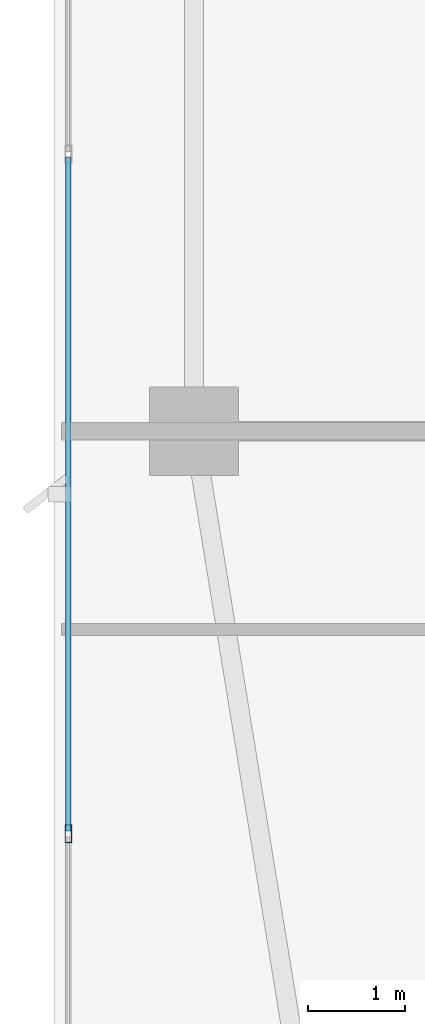
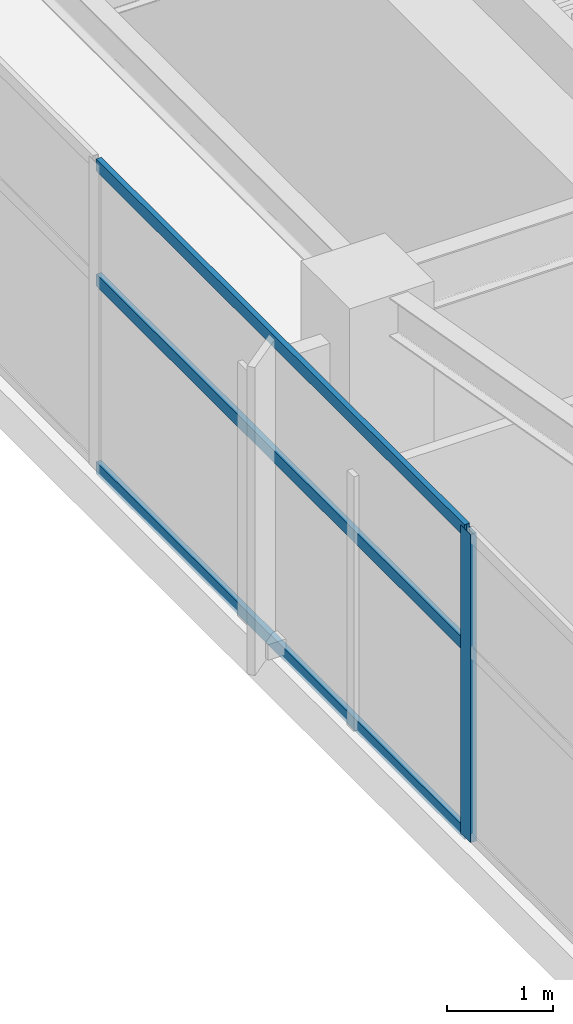
# One storey, part 4 of 28: 4 members, 1 element without a shape of its own.
"""IFC4 building model written with IfcOpenShell, lengths in metres."""

import ifcopenshell
import ifcopenshell.guid

model = None  # the IFC model being written
_history = None  # IfcOwnerHistory: only IFC2X3 demands one
_inside = {}  # id of a spatial element -> (the spatial element, [elements in it])
_under = {}  # id of a project, library or spatial element -> (it, [spatial elements below it])
_declared = {}  # id of a project -> (the project, [libraries it declares])
_typed = {}  # id of a type object -> (the type object, [elements of that type])
_made_of = {}  # id of a material, layer set ... -> (it, [elements and type objects made of it])


def new_model(schema):
    """Start an empty IFC model of exactly this schema.

    Asked for "IFC4X3", IfcOpenShell would pick the latest addendum, in which some entities
    have other attributes; the version numbers below select the first issue.
    IFC2X3 requires an IfcOwnerHistory on every rooted entity: one is made here for all.
    """
    global model, _history
    if schema == "IFC4X3":
        model = ifcopenshell.file(schema_version=(4, 3, 0, 0))
    else:
        model = ifcopenshell.file(schema=schema)
    _inside.clear()
    _under.clear()
    _declared.clear()
    _typed.clear()
    _made_of.clear()
    _history = None
    if model.schema == "IFC2X3":
        org = make("IfcOrganization", Name="unknown")
        user = make(
            "IfcPersonAndOrganization",
            ThePerson=make("IfcPerson", FamilyName="unknown"),
            TheOrganization=org,
        )
        app = make(
            "IfcApplication",
            ApplicationDeveloper=org,
            Version="unknown",
            ApplicationFullName="unknown",
            ApplicationIdentifier="unknown",
        )
        _history = make(
            "IfcOwnerHistory",
            OwningUser=user,
            OwningApplication=app,
            ChangeAction="ADDED",
            CreationDate=0,
        )
    return model


def make(cls, **values):
    """One entity of the class cls with the attributes given. An attribute that is None is left unset."""
    return model.create_entity(
        cls, **{name: value for name, value in values.items() if value is not None}
    )


def rooted(cls, **values):
    """An entity with a GlobalId (a new one), such as an element, a storey or a relation."""
    return make(cls, GlobalId=ifcopenshell.guid.new(), OwnerHistory=_history, **values)


def si_unit(unit_type, name, prefix=None):
    """IfcSIUnit, for example si_unit("LENGTHUNIT", "METRE", prefix="MILLI")."""
    return make("IfcSIUnit", UnitType=unit_type, Prefix=prefix, Name=name)


def assignment(units):
    """IfcUnitAssignment: the units of a project."""
    return None if units is None else make("IfcUnitAssignment", Units=units)


def point(xyz):
    """IfcCartesianPoint."""
    return None if xyz is None else make("IfcCartesianPoint", Coordinates=xyz)


def direction(xyz):
    """IfcDirection."""
    return None if xyz is None else make("IfcDirection", DirectionRatios=xyz)


def frame(location, z_axis=None, x_axis=None):
    """IfcAxis2Placement3D, a coordinate frame: its origin and axes. An axis left out is left unset."""
    return make(
        "IfcAxis2Placement3D",
        Location=point(location),
        Axis=direction(z_axis),
        RefDirection=direction(x_axis),
    )


def frame_2d(location, x_axis=None):
    """IfcAxis2Placement2D, a coordinate frame in the plane: its origin and x axis."""
    return make(
        "IfcAxis2Placement2D", Location=point(location), RefDirection=direction(x_axis)
    )


def origin():
    """The frame at (0, 0, 0) with its axes left unset."""
    return frame((0.0, 0.0, 0.0))


def origin_2d():
    """The frame at (0, 0) in the plane with its x axis left unset."""
    return frame_2d((0.0, 0.0))


def place(relative_to, where):
    """IfcLocalPlacement: puts the frame where relative to a parent placement (None: the world)."""
    return make(
        "IfcLocalPlacement", PlacementRelTo=relative_to, RelativePlacement=where
    )


def context(
    kind, dimensions, precision=None, world=None, true_north=None, identifier=None
):
    """IfcGeometricRepresentationContext, for example the 3D "Model" context."""
    return make(
        "IfcGeometricRepresentationContext",
        ContextIdentifier=identifier,
        ContextType=kind,
        CoordinateSpaceDimension=dimensions,
        Precision=precision,
        WorldCoordinateSystem=world,
        TrueNorth=true_north,
    )


def subcontext(parent, identifier, kind, view, scale=None):
    """IfcGeometricRepresentationSubContext, for example "Body" below "Model"."""
    return make(
        "IfcGeometricRepresentationSubContext",
        ContextIdentifier=identifier,
        ContextType=kind,
        ParentContext=parent,
        TargetScale=scale,
        TargetView=view,
    )


def project(units=None, contexts=None):
    """IfcProject with its units and contexts."""
    return rooted(
        "IfcProject",
        Name="project",
        RepresentationContexts=contexts,
        UnitsInContext=assignment(units),
    )


def spatial(cls, under=None, at=None, **own):
    """A site, building, storey or space (cls), placed at a placement, below another one or the project."""
    s = rooted(cls, ObjectPlacement=at, **own)
    if under is not None:
        _under.setdefault(under.id(), (under, []))[1].append(s)
    return s


def profile(cls, at=None, kind="AREA", **sizes):
    """A parametric profile (cls). Its sizes go by their IFC names, for example OverallWidth=200.0."""
    return make(cls, ProfileType=kind, Position=at, **sizes)


def hollow_rectangle(**sizes):
    """IfcRectangleHollowProfileDef."""
    return profile("IfcRectangleHollowProfileDef", **sizes)


def extrude(swept, where, along, depth):
    """IfcExtrudedAreaSolid: the profile swept, set in the frame where, extruded along a direction by depth."""
    return make(
        "IfcExtrudedAreaSolid",
        SweptArea=swept,
        Position=where,
        ExtrudedDirection=direction(along),
        Depth=depth,
    )


def shape(context_of_items, identifier, shape_type, items):
    """IfcShapeRepresentation: the items that make up one representation, for example the "Body"."""
    return make(
        "IfcShapeRepresentation",
        ContextOfItems=context_of_items,
        RepresentationIdentifier=identifier,
        RepresentationType=shape_type,
        Items=items,
    )


def material(Name=None, Category=None):
    """IfcMaterial."""
    return make("IfcMaterial", Name=Name, Category=Category)


def layer(
    of_material, thickness, ventilated=None, Name=None, Category=None, Priority=None
):
    """IfcMaterialLayer: one layer of a wall or slab, of a material (None: an air gap)."""
    return make(
        "IfcMaterialLayer",
        Material=of_material,
        LayerThickness=thickness,
        IsVentilated=ventilated,
        Name=Name,
        Category=Category,
        Priority=Priority,
    )


def layer_set(layers, Name=None):
    """IfcMaterialLayerSet."""
    return make("IfcMaterialLayerSet", MaterialLayers=layers, LayerSetName=Name)


def material_profile(
    of_material, cross_section, Name=None, Category=None, Priority=None
):
    """IfcMaterialProfile: a cross section and its material."""
    return make(
        "IfcMaterialProfile",
        Name=Name,
        Material=of_material,
        Profile=cross_section,
        Priority=Priority,
        Category=Category,
    )


def profile_set(profiles, Name=None, composite=None):
    """IfcMaterialProfileSet."""
    return make(
        "IfcMaterialProfileSet",
        Name=Name,
        MaterialProfiles=profiles,
        CompositeProfile=composite,
    )


def made_of(thing, what):
    """Note that an element or type object is made of a material, layer set ...; save() writes the relation."""
    if what is not None:
        _made_of.setdefault(what.id(), (what, []))[1].append(thing)
    return thing


def type_object(cls, material=None, **own):
    """A type object (cls), such as IfcWallType, which elements share."""
    return made_of(rooted(cls, **own), material)


def element(
    cls,
    number,
    at=None,
    inside=None,
    cuts=None,
    type_object=None,
    material=None,
    context=None,
    identifier="Body",
    shape_type=None,
    held_by="IfcProductDefinitionShape",
    body=None,
    shapes=None,
    **own,
):
    """One element of the class cls, such as IfcWall. Its Tag is "e" and its number.

    at: its placement. inside: the storey or other place that contains it. cuts: it is an
    opening in that element (IfcRelVoidsElement). A single representation is given by context,
    identifier, shape_type and body (its items); several are given by shapes. held_by: the class
    of the entity that holds the representations. save() writes the other relations.
    """
    e = rooted(cls, Tag="e%d" % number, ObjectPlacement=at, **own)
    if body is not None:
        shapes = [shape(context, identifier, shape_type, body)]
    if shapes is not None:
        e.Representation = make(held_by, Representations=shapes)
    if inside is not None:
        _inside.setdefault(inside.id(), (inside, []))[1].append(e)
    if cuts is not None:
        rooted(
            "IfcRelVoidsElement", RelatingBuildingElement=cuts, RelatedOpeningElement=e
        )
    if type_object is not None:
        _typed.setdefault(type_object.id(), (type_object, []))[1].append(e)
    return made_of(e, material)


def aggregate(whole, parts):
    """IfcRelAggregates: a whole, such as a stair, and the parts it consists of."""
    return rooted("IfcRelAggregates", RelatingObject=whole, RelatedObjects=parts)


def save(model, path):
    """Write the relations noted so far, then the file.

    IfcRelAggregates (storeys below a building ...), IfcRelContainedInSpatialStructure (elements
    in a storey), IfcRelDefinesByType, IfcRelAssociatesMaterial and IfcRelDeclares: one each for
    every whole, place, type object, material and project.
    """
    for whole, parts in _under.values():
        aggregate(whole, parts)
    for where, things in _inside.values():
        rooted(
            "IfcRelContainedInSpatialStructure",
            RelatedElements=things,
            RelatingStructure=where,
        )
    for kind, things in _typed.values():
        rooted("IfcRelDefinesByType", RelatedObjects=things, RelatingType=kind)
    for what, things in _made_of.values():
        rooted("IfcRelAssociatesMaterial", RelatedObjects=things, RelatingMaterial=what)
    for by, libraries in _declared.values():
        rooted("IfcRelDeclares", RelatingContext=by, RelatedDefinitions=libraries)
    model.write(path)


model = new_model("IFC4")

# Units and contexts
model_context = context("Model", 3, precision=1e-05, world=origin(), true_north=direction((0.0, 1.0)))
body_context = subcontext(model_context, "Body", "Model", "MODEL_VIEW")
ifc_project = project(units=[si_unit("LENGTHUNIT", "METRE"), si_unit("AREAUNIT", "SQUARE_METRE"), si_unit("VOLUMEUNIT", "CUBIC_METRE"), si_unit("PLANEANGLEUNIT", "RADIAN"), si_unit("MASSUNIT", "GRAM", prefix="KILO")], contexts=[model_context])

# Site, building, storey
site_placement = place(None, origin())
site = spatial("IfcSite", under=ifc_project, at=site_placement, CompositionType="ELEMENT")
building_placement = place(site_placement, origin())
building = spatial("IfcBuilding", under=site, at=building_placement, Name="Calvorn Quay Hotel", CompositionType="ELEMENT")
storey_placement = place(building_placement, frame((0.0, 0.0, 219.300048828125)))
storey = spatial("IfcBuildingStorey", under=building, at=storey_placement, Name="L54", CompositionType="ELEMENT", Elevation=219.300048828125)

# Curtain wall, members
ifc_material_1 = material(Name="Champagne Bronze Anodised Aluminium and Low-E Glass", Category="aluminium")
ifc_layer = layer(ifc_material_1, 0.219970703125)
ifc_layer_set = layer_set([ifc_layer], Name="CW-SYS-Z3")
curtain_wall_type = type_object("IfcCurtainWallType", Name="CW-SYS-Z3", PredefinedType="NOTDEFINED", material=ifc_layer_set)
curtain_wall_placement = place(storey_placement, origin())
curtain_wall = element("IfcCurtainWall", 1, at=curtain_wall_placement, inside=storey, type_object=curtain_wall_type, Name="Tower West Curtain Wall (L54)", PredefinedType="NOTDEFINED")
ifc_material_2 = material(Name="Champagne Bronze Anodised Aluminium 6063-T6", Category="aluminium")
ifc_material_profile_1 = material_profile(ifc_material_2, hollow_rectangle(XDim=0.068115234375, YDim=0.18505859375, WallThickness=0.00390625, at=origin_2d()), Name="ALU-M185x68x4")
ifc_profile_set_1 = profile_set([ifc_material_profile_1], Name="Champagne Bronze Anodised Aluminium 6063-T6")
member_type_1 = type_object("IfcMemberType", Name="CW-SYS-Z3-MUL", PredefinedType="MULLION", material=ifc_profile_set_1)
member_1_placement = place(storey_placement, frame((0.14990234375, 12.63330078125, 0.0), z_axis=(0.0, 0.0, 1.0), x_axis=(-1.0, 0.0, 0.0)))
member_1 = element("IfcMember", 2, at=member_1_placement, type_object=member_type_1, Name="CW-L54-W mullion 2", PredefinedType="MULLION", context=body_context, shape_type="SweptSolid", body=[
    extrude(hollow_rectangle(XDim=0.068115234375, YDim=0.18505859375, WallThickness=0.00390625, at=origin_2d()), origin(), (0.0, 0.0, 1.0), 3.56005859375),
])
ifc_material_3 = material(Name="Champagne Bronze Anodised Aluminium 6063-T6", Category="aluminium")
ifc_material_profile_2 = material_profile(ifc_material_3, hollow_rectangle(XDim=0.05810546875, YDim=0.139892578125, WallThickness=0.003173828125, at=origin_2d()), Name="ALU-T140x58x3.2")
ifc_profile_set_2 = profile_set([ifc_material_profile_2], Name="Champagne Bronze Anodised Aluminium 6063-T6")
member_type_2 = type_object("IfcMemberType", Name="CW-SYS-Z3-TRN", PredefinedType="USERDEFINED", material=ifc_profile_set_2)
member_2_placement = place(storey_placement, frame((0.14990234375, 12.663330078125, 0.030029296875), z_axis=(0.0, 1.0, 0.0), x_axis=(-1.0, 0.0, 0.0)))
member_2 = element("IfcMember", 3, at=member_2_placement, type_object=member_type_2, Name="CW-L54-W transom 2.1", ObjectType="TRANSOM", PredefinedType="USERDEFINED", context=body_context, shape_type="SweptSolid", body=[
    extrude(hollow_rectangle(XDim=0.05810546875, YDim=0.139892578125, WallThickness=0.003173828125, at=origin_2d()), origin(), (0.0, 0.0, 1.0), 6.973388671875),
])
member_3_placement = place(storey_placement, frame((0.14990234375, 12.663330078125, 2.199951171875), z_axis=(0.0, 1.0, 0.0), x_axis=(-1.0, 0.0, 0.0)))
member_3 = element("IfcMember", 4, at=member_3_placement, type_object=member_type_2, Name="CW-L54-W transom 2.2", ObjectType="TRANSOM", PredefinedType="USERDEFINED", context=body_context, shape_type="SweptSolid", body=[
    extrude(hollow_rectangle(XDim=0.05810546875, YDim=0.139892578125, WallThickness=0.003173828125, at=origin_2d()), origin(), (0.0, 0.0, 1.0), 6.973388671875),
])
member_4_placement = place(storey_placement, frame((0.14990234375, 12.663330078125, 3.530029296875), z_axis=(0.0, 1.0, 0.0), x_axis=(-1.0, 0.0, 0.0)))
member_4 = element("IfcMember", 5, at=member_4_placement, type_object=member_type_2, Name="CW-L54-W transom 2.3", ObjectType="TRANSOM", PredefinedType="USERDEFINED", context=body_context, shape_type="SweptSolid", body=[
    extrude(hollow_rectangle(XDim=0.05810546875, YDim=0.139892578125, WallThickness=0.003173828125, at=origin_2d()), origin(), (0.0, 0.0, 1.0), 6.973388671875),
])
aggregate(curtain_wall, [member_1, member_2, member_3, member_4])

save(model, "model.ifc")
